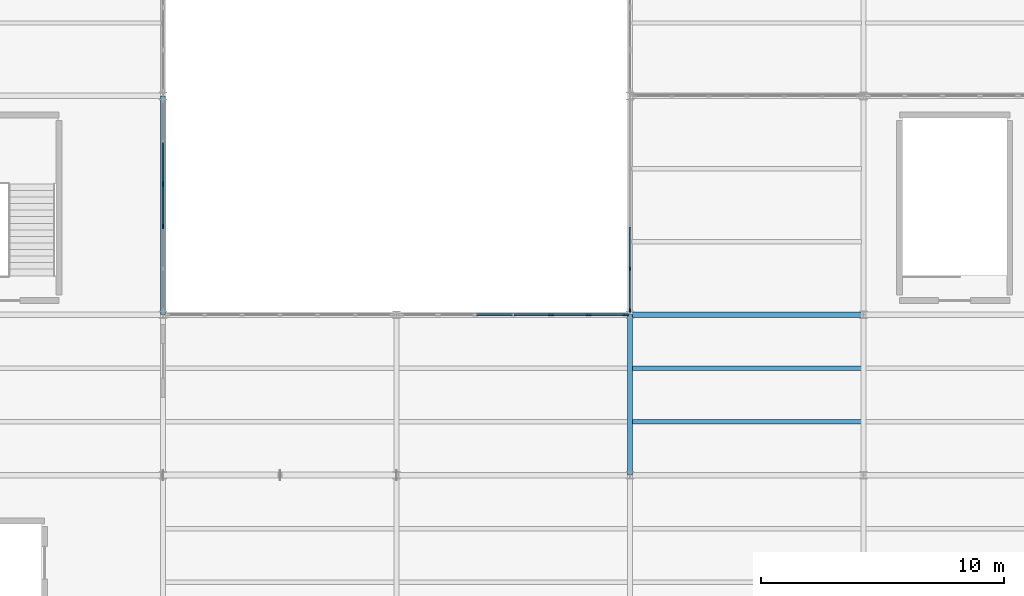
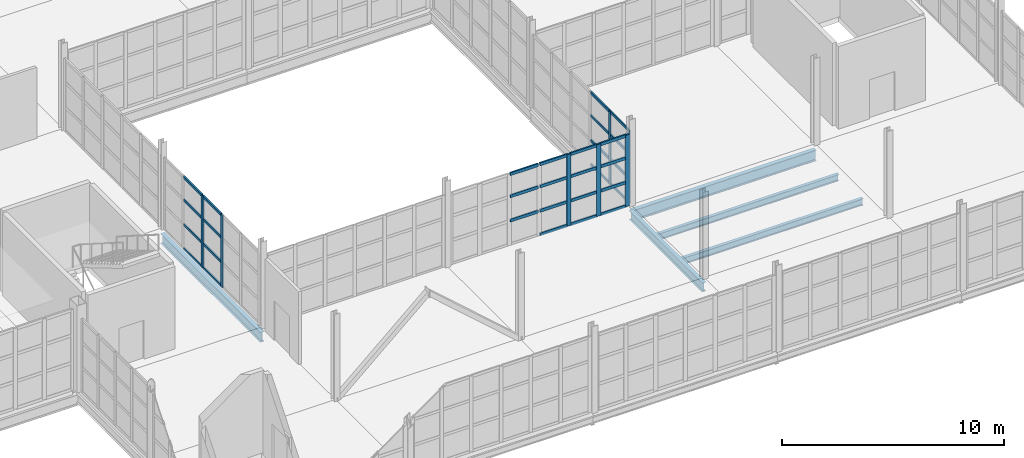
# One storey, part 61 of 120: 38 members, 5 beams, 3 elements without a shape of their own.
"""IFC4 building model written with IfcOpenShell, lengths in metres."""

import ifcopenshell
import ifcopenshell.guid

model = None  # the IFC model being written
_history = None  # IfcOwnerHistory: only IFC2X3 demands one
_inside = {}  # id of a spatial element -> (the spatial element, [elements in it])
_under = {}  # id of a project, library or spatial element -> (it, [spatial elements below it])
_declared = {}  # id of a project -> (the project, [libraries it declares])
_typed = {}  # id of a type object -> (the type object, [elements of that type])
_made_of = {}  # id of a material, layer set ... -> (it, [elements and type objects made of it])


def new_model(schema):
    """Start an empty IFC model of exactly this schema.

    Asked for "IFC4X3", IfcOpenShell would pick the latest addendum, in which some entities
    have other attributes; the version numbers below select the first issue.
    IFC2X3 requires an IfcOwnerHistory on every rooted entity: one is made here for all.
    """
    global model, _history
    if schema == "IFC4X3":
        model = ifcopenshell.file(schema_version=(4, 3, 0, 0))
    else:
        model = ifcopenshell.file(schema=schema)
    _inside.clear()
    _under.clear()
    _declared.clear()
    _typed.clear()
    _made_of.clear()
    _history = None
    if model.schema == "IFC2X3":
        org = make("IfcOrganization", Name="unknown")
        user = make(
            "IfcPersonAndOrganization",
            ThePerson=make("IfcPerson", FamilyName="unknown"),
            TheOrganization=org,
        )
        app = make(
            "IfcApplication",
            ApplicationDeveloper=org,
            Version="unknown",
            ApplicationFullName="unknown",
            ApplicationIdentifier="unknown",
        )
        _history = make(
            "IfcOwnerHistory",
            OwningUser=user,
            OwningApplication=app,
            ChangeAction="ADDED",
            CreationDate=0,
        )
    return model


def make(cls, **values):
    """One entity of the class cls with the attributes given. An attribute that is None is left unset."""
    return model.create_entity(
        cls, **{name: value for name, value in values.items() if value is not None}
    )


def rooted(cls, **values):
    """An entity with a GlobalId (a new one), such as an element, a storey or a relation."""
    return make(cls, GlobalId=ifcopenshell.guid.new(), OwnerHistory=_history, **values)


def si_unit(unit_type, name, prefix=None):
    """IfcSIUnit, for example si_unit("LENGTHUNIT", "METRE", prefix="MILLI")."""
    return make("IfcSIUnit", UnitType=unit_type, Prefix=prefix, Name=name)


def assignment(units):
    """IfcUnitAssignment: the units of a project."""
    return None if units is None else make("IfcUnitAssignment", Units=units)


def point(xyz):
    """IfcCartesianPoint."""
    return None if xyz is None else make("IfcCartesianPoint", Coordinates=xyz)


def direction(xyz):
    """IfcDirection."""
    return None if xyz is None else make("IfcDirection", DirectionRatios=xyz)


def frame(location, z_axis=None, x_axis=None):
    """IfcAxis2Placement3D, a coordinate frame: its origin and axes. An axis left out is left unset."""
    return make(
        "IfcAxis2Placement3D",
        Location=point(location),
        Axis=direction(z_axis),
        RefDirection=direction(x_axis),
    )


def frame_2d(location, x_axis=None):
    """IfcAxis2Placement2D, a coordinate frame in the plane: its origin and x axis."""
    return make(
        "IfcAxis2Placement2D", Location=point(location), RefDirection=direction(x_axis)
    )


def origin():
    """The frame at (0, 0, 0) with its axes left unset."""
    return frame((0.0, 0.0, 0.0))


def origin_2d():
    """The frame at (0, 0) in the plane with its x axis left unset."""
    return frame_2d((0.0, 0.0))


def place(relative_to, where):
    """IfcLocalPlacement: puts the frame where relative to a parent placement (None: the world)."""
    return make(
        "IfcLocalPlacement", PlacementRelTo=relative_to, RelativePlacement=where
    )


def context(
    kind, dimensions, precision=None, world=None, true_north=None, identifier=None
):
    """IfcGeometricRepresentationContext, for example the 3D "Model" context."""
    return make(
        "IfcGeometricRepresentationContext",
        ContextIdentifier=identifier,
        ContextType=kind,
        CoordinateSpaceDimension=dimensions,
        Precision=precision,
        WorldCoordinateSystem=world,
        TrueNorth=true_north,
    )


def subcontext(parent, identifier, kind, view, scale=None):
    """IfcGeometricRepresentationSubContext, for example "Body" below "Model"."""
    return make(
        "IfcGeometricRepresentationSubContext",
        ContextIdentifier=identifier,
        ContextType=kind,
        ParentContext=parent,
        TargetScale=scale,
        TargetView=view,
    )


def project(units=None, contexts=None):
    """IfcProject with its units and contexts."""
    return rooted(
        "IfcProject",
        Name="project",
        RepresentationContexts=contexts,
        UnitsInContext=assignment(units),
    )


def spatial(cls, under=None, at=None, **own):
    """A site, building, storey or space (cls), placed at a placement, below another one or the project."""
    s = rooted(cls, ObjectPlacement=at, **own)
    if under is not None:
        _under.setdefault(under.id(), (under, []))[1].append(s)
    return s


def profile(cls, at=None, kind="AREA", **sizes):
    """A parametric profile (cls). Its sizes go by their IFC names, for example OverallWidth=200.0."""
    return make(cls, ProfileType=kind, Position=at, **sizes)


def rectangle(**sizes):
    """IfcRectangleProfileDef."""
    return profile("IfcRectangleProfileDef", **sizes)


def i_section(**sizes):
    """IfcIShapeProfileDef."""
    return profile("IfcIShapeProfileDef", **sizes)


def extrude(swept, where, along, depth):
    """IfcExtrudedAreaSolid: the profile swept, set in the frame where, extruded along a direction by depth."""
    return make(
        "IfcExtrudedAreaSolid",
        SweptArea=swept,
        Position=where,
        ExtrudedDirection=direction(along),
        Depth=depth,
    )


def shape(context_of_items, identifier, shape_type, items):
    """IfcShapeRepresentation: the items that make up one representation, for example the "Body"."""
    return make(
        "IfcShapeRepresentation",
        ContextOfItems=context_of_items,
        RepresentationIdentifier=identifier,
        RepresentationType=shape_type,
        Items=items,
    )


def material(Name=None, Category=None):
    """IfcMaterial."""
    return make("IfcMaterial", Name=Name, Category=Category)


def layer(
    of_material, thickness, ventilated=None, Name=None, Category=None, Priority=None
):
    """IfcMaterialLayer: one layer of a wall or slab, of a material (None: an air gap)."""
    return make(
        "IfcMaterialLayer",
        Material=of_material,
        LayerThickness=thickness,
        IsVentilated=ventilated,
        Name=Name,
        Category=Category,
        Priority=Priority,
    )


def layer_set(layers, Name=None):
    """IfcMaterialLayerSet."""
    return make("IfcMaterialLayerSet", MaterialLayers=layers, LayerSetName=Name)


def material_profile(
    of_material, cross_section, Name=None, Category=None, Priority=None
):
    """IfcMaterialProfile: a cross section and its material."""
    return make(
        "IfcMaterialProfile",
        Name=Name,
        Material=of_material,
        Profile=cross_section,
        Priority=Priority,
        Category=Category,
    )


def profile_set(profiles, Name=None, composite=None):
    """IfcMaterialProfileSet."""
    return make(
        "IfcMaterialProfileSet",
        Name=Name,
        MaterialProfiles=profiles,
        CompositeProfile=composite,
    )


def made_of(thing, what):
    """Note that an element or type object is made of a material, layer set ...; save() writes the relation."""
    if what is not None:
        _made_of.setdefault(what.id(), (what, []))[1].append(thing)
    return thing


def type_object(cls, material=None, **own):
    """A type object (cls), such as IfcWallType, which elements share."""
    return made_of(rooted(cls, **own), material)


def element(
    cls,
    number,
    at=None,
    inside=None,
    cuts=None,
    type_object=None,
    material=None,
    context=None,
    identifier="Body",
    shape_type=None,
    held_by="IfcProductDefinitionShape",
    body=None,
    shapes=None,
    **own,
):
    """One element of the class cls, such as IfcWall. Its Tag is "e" and its number.

    at: its placement. inside: the storey or other place that contains it. cuts: it is an
    opening in that element (IfcRelVoidsElement). A single representation is given by context,
    identifier, shape_type and body (its items); several are given by shapes. held_by: the class
    of the entity that holds the representations. save() writes the other relations.
    """
    e = rooted(cls, Tag="e%d" % number, ObjectPlacement=at, **own)
    if body is not None:
        shapes = [shape(context, identifier, shape_type, body)]
    if shapes is not None:
        e.Representation = make(held_by, Representations=shapes)
    if inside is not None:
        _inside.setdefault(inside.id(), (inside, []))[1].append(e)
    if cuts is not None:
        rooted(
            "IfcRelVoidsElement", RelatingBuildingElement=cuts, RelatedOpeningElement=e
        )
    if type_object is not None:
        _typed.setdefault(type_object.id(), (type_object, []))[1].append(e)
    return made_of(e, material)


def aggregate(whole, parts):
    """IfcRelAggregates: a whole, such as a stair, and the parts it consists of."""
    return rooted("IfcRelAggregates", RelatingObject=whole, RelatedObjects=parts)


def save(model, path):
    """Write the relations noted so far, then the file.

    IfcRelAggregates (storeys below a building ...), IfcRelContainedInSpatialStructure (elements
    in a storey), IfcRelDefinesByType, IfcRelAssociatesMaterial and IfcRelDeclares: one each for
    every whole, place, type object, material and project.
    """
    for whole, parts in _under.values():
        aggregate(whole, parts)
    for where, things in _inside.values():
        rooted(
            "IfcRelContainedInSpatialStructure",
            RelatedElements=things,
            RelatingStructure=where,
        )
    for kind, things in _typed.values():
        rooted("IfcRelDefinesByType", RelatedObjects=things, RelatingType=kind)
    for what, things in _made_of.values():
        rooted("IfcRelAssociatesMaterial", RelatedObjects=things, RelatingMaterial=what)
    for by, libraries in _declared.values():
        rooted("IfcRelDeclares", RelatingContext=by, RelatedDefinitions=libraries)
    model.write(path)


model = new_model("IFC4")

# Units and contexts
model_context = context("Model", 3, precision=1e-05, world=origin(), true_north=direction((0.0, 1.0)))
body_context = subcontext(model_context, "Body", "Model", "MODEL_VIEW")
ifc_project = project(units=[si_unit("LENGTHUNIT", "METRE"), si_unit("AREAUNIT", "SQUARE_METRE"), si_unit("VOLUMEUNIT", "CUBIC_METRE"), si_unit("PLANEANGLEUNIT", "RADIAN"), si_unit("MASSUNIT", "GRAM", prefix="KILO")], contexts=[model_context])

# Site, building, storey
site_placement = place(None, origin())
site = spatial("IfcSite", under=ifc_project, at=site_placement, CompositionType="ELEMENT")
building_placement = place(site_placement, origin())
building = spatial("IfcBuilding", under=site, at=building_placement, Name="Zarnetskaya Central Station", CompositionType="ELEMENT")
storey_placement = place(building_placement, frame((0.0, 0.0, 5.39990234375)))
storey = spatial("IfcBuildingStorey", under=building, at=storey_placement, Name="L01", CompositionType="ELEMENT", Elevation=5.39990234375)

# Beams
ifc_material_1 = material(Name="Steel S355", Category="steel")
ifc_material_profile_1 = material_profile(ifc_material_1, i_section(OverallWidth=0.169921875, OverallDepth=0.360107421875, WebThickness=0.008056640625, FlangeThickness=0.0126953125, FilletRadius=0.01806640625, at=origin_2d()), Name="IPE 360")
ifc_profile_set_1 = profile_set([ifc_material_profile_1], Name="Steel S355")
beam_type_1 = type_object("IfcBeamType", Name="BM-SEC-360", PredefinedType="BEAM", material=ifc_profile_set_1)
for number, where, z_axis, x_axis, name in (
    (1, (153.679931640625, 8.800048828125, -0.4599609375), (1.0, 0.0, 0.0), (0.0, 1.0, 0.0), "Secondary floor beam SEC-L01-Z512-ST-23-1"),
    (2, (153.679931640625, 11.0, -0.4599609375), (1.0, 0.0, 0.0), (0.0, 1.0, 0.0), "Secondary floor beam SEC-L01-Z512-ST-23-2"),
):
    element("IfcBeam", number, at=place(storey_placement, frame(where, z_axis=z_axis, x_axis=x_axis)), inside=storey, type_object=beam_type_1, Name=name, PredefinedType="BEAM", context=body_context, shape_type="SweptSolid", body=[
        extrude(i_section(OverallWidth=0.169921875, OverallDepth=0.360107421875, WebThickness=0.008056640625, FlangeThickness=0.0126953125, FilletRadius=0.01806640625, at=origin_2d()), origin(), (0.0, 0.0, 1.0), 9.440185546875),
    ])

# Curtain wall, members
ifc_material_2 = material(Name="Low-E insulated glass", Category="glass")
ifc_layer = layer(ifc_material_2, 0.159912109375, Name="Low-E insulated glass", Category="glass")
ifc_layer_set = layer_set([ifc_layer], Name="Low-E insulated glass")
curtain_wall_type = type_object("IfcCurtainWallType", Name="CW-SYS-06", PredefinedType="USERDEFINED", material=ifc_layer_set)
curtain_wall_1_placement = place(storey_placement, origin())
curtain_wall_1 = element("IfcCurtainWall", 3, at=curtain_wall_1_placement, inside=storey, type_object=curtain_wall_type, Name="Curtain wall CW-L01-129", ObjectType="CURTAIN WALL", PredefinedType="USERDEFINED")
ifc_material_3 = material(Name="Anodised aluminium", Category="aluminium")
ifc_material_profile_2 = material_profile(ifc_material_3, rectangle(XDim=0.070068359375, YDim=0.179931640625, at=origin_2d()), Name="ALU MULL 70x180")
ifc_profile_set_2 = profile_set([ifc_material_profile_2], Name="Anodised aluminium")
member_type_1 = type_object("IfcMemberType", Name="CW-MULL-180", PredefinedType="MULLION", material=ifc_profile_set_2)
member_1_placement = place(storey_placement, frame((153.60009765625, 13.385009765625, 0.0), z_axis=(0.0, 0.0, 1.0), x_axis=(-1.0, 0.0, 0.0)))
member_1 = element("IfcMember", 4, at=member_1_placement, type_object=member_type_1, Name="CW-02 mullion 1", PredefinedType="MULLION", context=body_context, shape_type="SweptSolid", body=[
    extrude(rectangle(XDim=0.070068359375, YDim=0.179931640625, at=origin_2d()), origin(), (0.0, 0.0, 1.0), 4.030029296875),
])
member_2_placement = place(storey_placement, frame((153.60009765625, 15.090087890625, 0.0), z_axis=(0.0, 0.0, 1.0), x_axis=(-1.0, 0.0, 0.0)))
member_2 = element("IfcMember", 5, at=member_2_placement, type_object=member_type_1, Name="CW-02 mullion 2", PredefinedType="MULLION", context=body_context, shape_type="SweptSolid", body=[
    extrude(rectangle(XDim=0.070068359375, YDim=0.179931640625, at=origin_2d()), origin(), (0.0, 0.0, 1.0), 4.030029296875),
])

curtain_wall_2_placement = place(storey_placement, origin())
curtain_wall_2 = element("IfcCurtainWall", 6, at=curtain_wall_2_placement, inside=storey, type_object=curtain_wall_type, Name="Curtain wall CW-L01-133", ObjectType="CURTAIN WALL", PredefinedType="USERDEFINED")
member_3_placement = place(storey_placement, frame((134.39990234375, 18.570068359375, 0.0), z_axis=(0.0, 0.0, 1.0), x_axis=(1.0, 0.0, 0.0)))
member_3 = element("IfcMember", 7, at=member_3_placement, type_object=member_type_1, Name="CW-02 mullion 3", PredefinedType="MULLION", context=body_context, shape_type="SweptSolid", body=[
    extrude(rectangle(XDim=0.070068359375, YDim=0.179931640625, at=origin_2d()), origin(), (0.0, 0.0, 1.0), 3.989990234375),
])
member_4_placement = place(storey_placement, frame((134.39990234375, 16.830078125, 0.0), z_axis=(0.0, 0.0, 1.0), x_axis=(1.0, 0.0, 0.0)))
member_4 = element("IfcMember", 8, at=member_4_placement, type_object=member_type_1, Name="CW-02 mullion 4", PredefinedType="MULLION", context=body_context, shape_type="SweptSolid", body=[
    extrude(rectangle(XDim=0.070068359375, YDim=0.179931640625, at=origin_2d()), origin(), (0.0, 0.0, 1.0), 3.989990234375),
])

curtain_wall_3_placement = place(storey_placement, origin())
curtain_wall_3 = element("IfcCurtainWall", 9, at=curtain_wall_3_placement, inside=storey, type_object=curtain_wall_type, Name="Curtain wall CW-L01-128", ObjectType="CURTAIN WALL", PredefinedType="USERDEFINED")
ifc_material_profile_3 = material_profile(ifc_material_3, rectangle(XDim=0.080078125, YDim=0.219970703125, at=origin_2d()), Name="ALU MULL 80x220")
ifc_profile_set_3 = profile_set([ifc_material_profile_3], Name="Anodised aluminium")
member_type_2 = type_object("IfcMemberType", Name="CW-MULL-220", PredefinedType="MULLION", material=ifc_profile_set_3)
member_5_placement = place(storey_placement, frame((150.35009765625, 13.199951171875, 0.0), z_axis=(0.0, 0.0, 1.0), x_axis=(0.0, 1.0, 0.0)))
member_5 = element("IfcMember", 10, at=member_5_placement, type_object=member_type_2, Name="CW-02 mullion 5", PredefinedType="MULLION", context=body_context, shape_type="SweptSolid", body=[
    extrude(rectangle(XDim=0.080078125, YDim=0.219970703125, at=origin_2d()), origin(), (0.0, 0.0, 1.0), 3.940185546875),
])
member_6_placement = place(storey_placement, frame((151.89990234375, 13.199951171875, 0.0), z_axis=(0.0, 0.0, 1.0), x_axis=(0.0, 1.0, 0.0)))
member_6 = element("IfcMember", 11, at=member_6_placement, type_object=member_type_2, Name="CW-02 mullion 6", PredefinedType="MULLION", context=body_context, shape_type="SweptSolid", body=[
    extrude(rectangle(XDim=0.080078125, YDim=0.219970703125, at=origin_2d()), origin(), (0.0, 0.0, 1.0), 3.940185546875),
])
member_7_placement = place(storey_placement, frame((153.409912109375, 13.199951171875, 0.0), z_axis=(0.0, 0.0, 1.0), x_axis=(0.0, 1.0, 0.0)))
member_7 = element("IfcMember", 12, at=member_7_placement, type_object=member_type_2, Name="CW-02 mullion 7", PredefinedType="MULLION", context=body_context, shape_type="SweptSolid", body=[
    extrude(rectangle(XDim=0.080078125, YDim=0.219970703125, at=origin_2d()), origin(), (0.0, 0.0, 1.0), 3.940185546875),
])

# Member
ifc_material_profile_4 = material_profile(ifc_material_3, rectangle(XDim=0.070068359375, YDim=0.139892578125, at=origin_2d()), Name="ALU TRAN 70x140")
ifc_profile_set_4 = profile_set([ifc_material_profile_4], Name="Anodised aluminium")
member_type_3 = type_object("IfcMemberType", Name="CW-TRAN-140", PredefinedType="USERDEFINED", material=ifc_profile_set_4)
member_8_placement = place(storey_placement, frame((153.60009765625, 13.419921875, 0.03515625), z_axis=(0.0, 1.0, 0.0), x_axis=(-1.0, 0.0, 0.0)))
member_8 = element("IfcMember", 13, at=member_8_placement, type_object=member_type_3, Name="CW-02 transom 1.1", ObjectType="TRANSOM", PredefinedType="USERDEFINED", context=body_context, shape_type="SweptSolid", body=[
    extrude(rectangle(XDim=0.070068359375, YDim=0.139892578125, at=origin_2d()), origin(), (0.0, 0.0, 1.0), 1.635009765625),
])

member_9_placement = place(storey_placement, frame((153.60009765625, 13.419921875, 1.3701171875), z_axis=(0.0, 1.0, 0.0), x_axis=(-1.0, 0.0, 0.0)))
member_9 = element("IfcMember", 14, at=member_9_placement, type_object=member_type_3, Name="CW-02 transom 1.2", ObjectType="TRANSOM", PredefinedType="USERDEFINED", context=body_context, shape_type="SweptSolid", body=[
    extrude(rectangle(XDim=0.070068359375, YDim=0.139892578125, at=origin_2d()), origin(), (0.0, 0.0, 1.0), 1.635009765625),
])

member_10_placement = place(storey_placement, frame((153.60009765625, 13.419921875, 2.739990234375), z_axis=(0.0, 1.0, 0.0), x_axis=(-1.0, 0.0, 0.0)))
member_10 = element("IfcMember", 15, at=member_10_placement, type_object=member_type_3, Name="CW-02 transom 1.3", ObjectType="TRANSOM", PredefinedType="USERDEFINED", context=body_context, shape_type="SweptSolid", body=[
    extrude(rectangle(XDim=0.070068359375, YDim=0.139892578125, at=origin_2d()), origin(), (0.0, 0.0, 1.0), 1.635009765625),
])

member_11_placement = place(storey_placement, frame((153.60009765625, 13.419921875, 3.9951171875), z_axis=(0.0, 1.0, 0.0), x_axis=(-1.0, 0.0, 0.0)))
member_11 = element("IfcMember", 16, at=member_11_placement, type_object=member_type_3, Name="CW-02 transom 1.4", ObjectType="TRANSOM", PredefinedType="USERDEFINED", context=body_context, shape_type="SweptSolid", body=[
    extrude(rectangle(XDim=0.070068359375, YDim=0.139892578125, at=origin_2d()), origin(), (0.0, 0.0, 1.0), 1.635009765625),
])

member_12_placement = place(storey_placement, frame((153.60009765625, 15.125, 0.03515625), z_axis=(0.0, 1.0, 0.0), x_axis=(-1.0, 0.0, 0.0)))
member_12 = element("IfcMember", 17, at=member_12_placement, type_object=member_type_3, Name="CW-02 transom 2.1", ObjectType="TRANSOM", PredefinedType="USERDEFINED", context=body_context, shape_type="SweptSolid", body=[
    extrude(rectangle(XDim=0.070068359375, YDim=0.139892578125, at=origin_2d()), origin(), (0.0, 0.0, 1.0), 1.669921875),
])

member_13_placement = place(storey_placement, frame((153.60009765625, 15.125, 1.3701171875), z_axis=(0.0, 1.0, 0.0), x_axis=(-1.0, 0.0, 0.0)))
member_13 = element("IfcMember", 18, at=member_13_placement, type_object=member_type_3, Name="CW-02 transom 2.2", ObjectType="TRANSOM", PredefinedType="USERDEFINED", context=body_context, shape_type="SweptSolid", body=[
    extrude(rectangle(XDim=0.070068359375, YDim=0.139892578125, at=origin_2d()), origin(), (0.0, 0.0, 1.0), 1.669921875),
])

member_14_placement = place(storey_placement, frame((153.60009765625, 15.125, 2.739990234375), z_axis=(0.0, 1.0, 0.0), x_axis=(-1.0, 0.0, 0.0)))
member_14 = element("IfcMember", 19, at=member_14_placement, type_object=member_type_3, Name="CW-02 transom 2.3", ObjectType="TRANSOM", PredefinedType="USERDEFINED", context=body_context, shape_type="SweptSolid", body=[
    extrude(rectangle(XDim=0.070068359375, YDim=0.139892578125, at=origin_2d()), origin(), (0.0, 0.0, 1.0), 1.669921875),
])

member_15_placement = place(storey_placement, frame((153.60009765625, 15.125, 3.9951171875), z_axis=(0.0, 1.0, 0.0), x_axis=(-1.0, 0.0, 0.0)))
member_15 = element("IfcMember", 20, at=member_15_placement, type_object=member_type_3, Name="CW-02 transom 2.4", ObjectType="TRANSOM", PredefinedType="USERDEFINED", context=body_context, shape_type="SweptSolid", body=[
    extrude(rectangle(XDim=0.070068359375, YDim=0.139892578125, at=origin_2d()), origin(), (0.0, 0.0, 1.0), 1.669921875),
])

aggregate(curtain_wall_1, [member_1, member_2, member_8, member_9, member_10, member_11, member_12, member_13, member_14, member_15])

member_16_placement = place(storey_placement, frame((134.39990234375, 20.27490234375, 0.03515625), z_axis=(0.0, -1.0, 0.0), x_axis=(1.0, 0.0, 0.0)))
member_16 = element("IfcMember", 21, at=member_16_placement, type_object=member_type_3, Name="CW-02 transom 2.1", ObjectType="TRANSOM", PredefinedType="USERDEFINED", context=body_context, shape_type="SweptSolid", body=[
    extrude(rectangle(XDim=0.070068359375, YDim=0.139892578125, at=origin_2d()), origin(), (0.0, 0.0, 1.0), 1.669921875),
])

member_17_placement = place(storey_placement, frame((134.39990234375, 20.27490234375, 1.357177734375), z_axis=(0.0, -1.0, 0.0), x_axis=(1.0, 0.0, 0.0)))
member_17 = element("IfcMember", 22, at=member_17_placement, type_object=member_type_3, Name="CW-02 transom 2.2", ObjectType="TRANSOM", PredefinedType="USERDEFINED", context=body_context, shape_type="SweptSolid", body=[
    extrude(rectangle(XDim=0.070068359375, YDim=0.139892578125, at=origin_2d()), origin(), (0.0, 0.0, 1.0), 1.669921875),
])

member_18_placement = place(storey_placement, frame((134.39990234375, 20.27490234375, 2.713134765625), z_axis=(0.0, -1.0, 0.0), x_axis=(1.0, 0.0, 0.0)))
member_18 = element("IfcMember", 23, at=member_18_placement, type_object=member_type_3, Name="CW-02 transom 2.3", ObjectType="TRANSOM", PredefinedType="USERDEFINED", context=body_context, shape_type="SweptSolid", body=[
    extrude(rectangle(XDim=0.070068359375, YDim=0.139892578125, at=origin_2d()), origin(), (0.0, 0.0, 1.0), 1.669921875),
])

member_19_placement = place(storey_placement, frame((134.39990234375, 20.27490234375, 3.955078125), z_axis=(0.0, -1.0, 0.0), x_axis=(1.0, 0.0, 0.0)))
member_19 = element("IfcMember", 24, at=member_19_placement, type_object=member_type_3, Name="CW-02 transom 2.4", ObjectType="TRANSOM", PredefinedType="USERDEFINED", context=body_context, shape_type="SweptSolid", body=[
    extrude(rectangle(XDim=0.070068359375, YDim=0.139892578125, at=origin_2d()), origin(), (0.0, 0.0, 1.0), 1.669921875),
])

member_20_placement = place(storey_placement, frame((134.39990234375, 18.534912109375, 0.03515625), z_axis=(0.0, -1.0, 0.0), x_axis=(1.0, 0.0, 0.0)))
member_20 = element("IfcMember", 25, at=member_20_placement, type_object=member_type_3, Name="CW-02 transom 3.1", ObjectType="TRANSOM", PredefinedType="USERDEFINED", context=body_context, shape_type="SweptSolid", body=[
    extrude(rectangle(XDim=0.070068359375, YDim=0.139892578125, at=origin_2d()), origin(), (0.0, 0.0, 1.0), 1.669921875),
])

member_21_placement = place(storey_placement, frame((134.39990234375, 18.534912109375, 1.357177734375), z_axis=(0.0, -1.0, 0.0), x_axis=(1.0, 0.0, 0.0)))
member_21 = element("IfcMember", 26, at=member_21_placement, type_object=member_type_3, Name="CW-02 transom 3.2", ObjectType="TRANSOM", PredefinedType="USERDEFINED", context=body_context, shape_type="SweptSolid", body=[
    extrude(rectangle(XDim=0.070068359375, YDim=0.139892578125, at=origin_2d()), origin(), (0.0, 0.0, 1.0), 1.669921875),
])

member_22_placement = place(storey_placement, frame((134.39990234375, 18.534912109375, 2.713134765625), z_axis=(0.0, -1.0, 0.0), x_axis=(1.0, 0.0, 0.0)))
member_22 = element("IfcMember", 27, at=member_22_placement, type_object=member_type_3, Name="CW-02 transom 3.3", ObjectType="TRANSOM", PredefinedType="USERDEFINED", context=body_context, shape_type="SweptSolid", body=[
    extrude(rectangle(XDim=0.070068359375, YDim=0.139892578125, at=origin_2d()), origin(), (0.0, 0.0, 1.0), 1.669921875),
])

member_23_placement = place(storey_placement, frame((134.39990234375, 18.534912109375, 3.955078125), z_axis=(0.0, -1.0, 0.0), x_axis=(1.0, 0.0, 0.0)))
member_23 = element("IfcMember", 28, at=member_23_placement, type_object=member_type_3, Name="CW-02 transom 3.4", ObjectType="TRANSOM", PredefinedType="USERDEFINED", context=body_context, shape_type="SweptSolid", body=[
    extrude(rectangle(XDim=0.070068359375, YDim=0.139892578125, at=origin_2d()), origin(), (0.0, 0.0, 1.0), 1.669921875),
])

aggregate(curtain_wall_2, [member_3, member_4, member_16, member_17, member_18, member_19, member_20, member_21, member_22, member_23])

ifc_material_profile_5 = material_profile(ifc_material_3, rectangle(XDim=0.080078125, YDim=0.159912109375, at=origin_2d()), Name="ALU TRAN 80x160")
ifc_profile_set_5 = profile_set([ifc_material_profile_5], Name="Anodised aluminium")
member_type_4 = type_object("IfcMemberType", Name="CW-TRAN-160", PredefinedType="USERDEFINED", material=ifc_profile_set_5)
member_24_placement = place(storey_placement, frame((147.2900390625, 13.199951171875, 1.340087890625), z_axis=(1.0, 0.0, 0.0), x_axis=(0.0, 1.0, 0.0)))
member_24 = element("IfcMember", 29, at=member_24_placement, type_object=member_type_4, Name="CW-02 transom 3.2", ObjectType="TRANSOM", PredefinedType="USERDEFINED", context=body_context, shape_type="SweptSolid", body=[
    extrude(rectangle(XDim=0.080078125, YDim=0.159912109375, at=origin_2d()), origin(), (0.0, 0.0, 1.0), 1.469970703125),
])

member_25_placement = place(storey_placement, frame((147.2900390625, 13.199951171875, 2.67919921875), z_axis=(1.0, 0.0, 0.0), x_axis=(0.0, 1.0, 0.0)))
member_25 = element("IfcMember", 30, at=member_25_placement, type_object=member_type_4, Name="CW-02 transom 3.3", ObjectType="TRANSOM", PredefinedType="USERDEFINED", context=body_context, shape_type="SweptSolid", body=[
    extrude(rectangle(XDim=0.080078125, YDim=0.159912109375, at=origin_2d()), origin(), (0.0, 0.0, 1.0), 1.469970703125),
])

member_26_placement = place(storey_placement, frame((147.2900390625, 13.199951171875, 3.900146484375), z_axis=(1.0, 0.0, 0.0), x_axis=(0.0, 1.0, 0.0)))
member_26 = element("IfcMember", 31, at=member_26_placement, type_object=member_type_4, Name="CW-02 transom 3.4", ObjectType="TRANSOM", PredefinedType="USERDEFINED", context=body_context, shape_type="SweptSolid", body=[
    extrude(rectangle(XDim=0.080078125, YDim=0.159912109375, at=origin_2d()), origin(), (0.0, 0.0, 1.0), 1.469970703125),
])

member_27_placement = place(storey_placement, frame((148.840087890625, 13.199951171875, 0.0400390625), z_axis=(1.0, 0.0, 0.0), x_axis=(0.0, 1.0, 0.0)))
member_27 = element("IfcMember", 32, at=member_27_placement, type_object=member_type_4, Name="CW-02 transom 4.1", ObjectType="TRANSOM", PredefinedType="USERDEFINED", context=body_context, shape_type="SweptSolid", body=[
    extrude(rectangle(XDim=0.080078125, YDim=0.159912109375, at=origin_2d()), origin(), (0.0, 0.0, 1.0), 1.469970703125),
])

member_28_placement = place(storey_placement, frame((148.840087890625, 13.199951171875, 1.340087890625), z_axis=(1.0, 0.0, 0.0), x_axis=(0.0, 1.0, 0.0)))
member_28 = element("IfcMember", 33, at=member_28_placement, type_object=member_type_4, Name="CW-02 transom 4.2", ObjectType="TRANSOM", PredefinedType="USERDEFINED", context=body_context, shape_type="SweptSolid", body=[
    extrude(rectangle(XDim=0.080078125, YDim=0.159912109375, at=origin_2d()), origin(), (0.0, 0.0, 1.0), 1.469970703125),
])

member_29_placement = place(storey_placement, frame((148.840087890625, 13.199951171875, 2.67919921875), z_axis=(1.0, 0.0, 0.0), x_axis=(0.0, 1.0, 0.0)))
member_29 = element("IfcMember", 34, at=member_29_placement, type_object=member_type_4, Name="CW-02 transom 4.3", ObjectType="TRANSOM", PredefinedType="USERDEFINED", context=body_context, shape_type="SweptSolid", body=[
    extrude(rectangle(XDim=0.080078125, YDim=0.159912109375, at=origin_2d()), origin(), (0.0, 0.0, 1.0), 1.469970703125),
])

member_30_placement = place(storey_placement, frame((148.840087890625, 13.199951171875, 3.900146484375), z_axis=(1.0, 0.0, 0.0), x_axis=(0.0, 1.0, 0.0)))
member_30 = element("IfcMember", 35, at=member_30_placement, type_object=member_type_4, Name="CW-02 transom 4.4", ObjectType="TRANSOM", PredefinedType="USERDEFINED", context=body_context, shape_type="SweptSolid", body=[
    extrude(rectangle(XDim=0.080078125, YDim=0.159912109375, at=origin_2d()), origin(), (0.0, 0.0, 1.0), 1.469970703125),
])

member_31_placement = place(storey_placement, frame((150.389892578125, 13.199951171875, 0.0400390625), z_axis=(1.0, 0.0, 0.0), x_axis=(0.0, 1.0, 0.0)))
member_31 = element("IfcMember", 36, at=member_31_placement, type_object=member_type_4, Name="CW-02 transom 5.1", ObjectType="TRANSOM", PredefinedType="USERDEFINED", context=body_context, shape_type="SweptSolid", body=[
    extrude(rectangle(XDim=0.080078125, YDim=0.159912109375, at=origin_2d()), origin(), (0.0, 0.0, 1.0), 1.47021484375),
])

member_32_placement = place(storey_placement, frame((150.389892578125, 13.199951171875, 1.340087890625), z_axis=(1.0, 0.0, 0.0), x_axis=(0.0, 1.0, 0.0)))
member_32 = element("IfcMember", 37, at=member_32_placement, type_object=member_type_4, Name="CW-02 transom 5.2", ObjectType="TRANSOM", PredefinedType="USERDEFINED", context=body_context, shape_type="SweptSolid", body=[
    extrude(rectangle(XDim=0.080078125, YDim=0.159912109375, at=origin_2d()), origin(), (0.0, 0.0, 1.0), 1.47021484375),
])

member_33_placement = place(storey_placement, frame((150.389892578125, 13.199951171875, 2.67919921875), z_axis=(1.0, 0.0, 0.0), x_axis=(0.0, 1.0, 0.0)))
member_33 = element("IfcMember", 38, at=member_33_placement, type_object=member_type_4, Name="CW-02 transom 5.3", ObjectType="TRANSOM", PredefinedType="USERDEFINED", context=body_context, shape_type="SweptSolid", body=[
    extrude(rectangle(XDim=0.080078125, YDim=0.159912109375, at=origin_2d()), origin(), (0.0, 0.0, 1.0), 1.47021484375),
])

member_34_placement = place(storey_placement, frame((150.389892578125, 13.199951171875, 3.900146484375), z_axis=(1.0, 0.0, 0.0), x_axis=(0.0, 1.0, 0.0)))
member_34 = element("IfcMember", 39, at=member_34_placement, type_object=member_type_4, Name="CW-02 transom 5.4", ObjectType="TRANSOM", PredefinedType="USERDEFINED", context=body_context, shape_type="SweptSolid", body=[
    extrude(rectangle(XDim=0.080078125, YDim=0.159912109375, at=origin_2d()), origin(), (0.0, 0.0, 1.0), 1.47021484375),
])

member_35_placement = place(storey_placement, frame((151.93994140625, 13.199951171875, 0.0400390625), z_axis=(1.0, 0.0, 0.0), x_axis=(0.0, 1.0, 0.0)))
member_35 = element("IfcMember", 40, at=member_35_placement, type_object=member_type_4, Name="CW-02 transom 6.1", ObjectType="TRANSOM", PredefinedType="USERDEFINED", context=body_context, shape_type="SweptSolid", body=[
    extrude(rectangle(XDim=0.080078125, YDim=0.159912109375, at=origin_2d()), origin(), (0.0, 0.0, 1.0), 1.43017578125),
])

member_36_placement = place(storey_placement, frame((151.93994140625, 13.199951171875, 1.340087890625), z_axis=(1.0, 0.0, 0.0), x_axis=(0.0, 1.0, 0.0)))
member_36 = element("IfcMember", 41, at=member_36_placement, type_object=member_type_4, Name="CW-02 transom 6.2", ObjectType="TRANSOM", PredefinedType="USERDEFINED", context=body_context, shape_type="SweptSolid", body=[
    extrude(rectangle(XDim=0.080078125, YDim=0.159912109375, at=origin_2d()), origin(), (0.0, 0.0, 1.0), 1.43017578125),
])

member_37_placement = place(storey_placement, frame((151.93994140625, 13.199951171875, 2.67919921875), z_axis=(1.0, 0.0, 0.0), x_axis=(0.0, 1.0, 0.0)))
member_37 = element("IfcMember", 42, at=member_37_placement, type_object=member_type_4, Name="CW-02 transom 6.3", ObjectType="TRANSOM", PredefinedType="USERDEFINED", context=body_context, shape_type="SweptSolid", body=[
    extrude(rectangle(XDim=0.080078125, YDim=0.159912109375, at=origin_2d()), origin(), (0.0, 0.0, 1.0), 1.43017578125),
])

member_38_placement = place(storey_placement, frame((151.93994140625, 13.199951171875, 3.900146484375), z_axis=(1.0, 0.0, 0.0), x_axis=(0.0, 1.0, 0.0)))
member_38 = element("IfcMember", 43, at=member_38_placement, type_object=member_type_4, Name="CW-02 transom 6.4", ObjectType="TRANSOM", PredefinedType="USERDEFINED", context=body_context, shape_type="SweptSolid", body=[
    extrude(rectangle(XDim=0.080078125, YDim=0.159912109375, at=origin_2d()), origin(), (0.0, 0.0, 1.0), 1.43017578125),
])

aggregate(curtain_wall_3, [member_5, member_6, member_7, member_24, member_25, member_26, member_27, member_28, member_29, member_30, member_31, member_32, member_33, member_34, member_35, member_36, member_37, member_38])

# Beams
ifc_material_profile_6 = material_profile(ifc_material_1, i_section(OverallWidth=0.199951171875, OverallDepth=0.5, WebThickness=0.01025390625, FlangeThickness=0.01611328125, FilletRadius=0.02099609375, at=origin_2d()), Name="IPE 500")
ifc_profile_set_6 = profile_set([ifc_material_profile_6], Name="Steel S355")
beam_type_2 = type_object("IfcBeamType", Name="GD-FLR-500", PredefinedType="USERDEFINED", material=ifc_profile_set_6)
beam_1_placement = place(storey_placement, frame((153.60009765625, 6.60009765625, -0.52978515625), z_axis=(0.0, 1.0, 0.0), x_axis=(-1.0, 0.0, 0.0)))
element("IfcBeam", 44, at=beam_1_placement, inside=storey, type_object=beam_type_2, Name="Grid girder GY-L01-S-23", ObjectType="GIRDER", PredefinedType="USERDEFINED", context=body_context, shape_type="SweptSolid", body=[
    extrude(i_section(OverallWidth=0.199951171875, OverallDepth=0.5, WebThickness=0.01025390625, FlangeThickness=0.01611328125, FilletRadius=0.02099609375, at=origin_2d()), origin(), (0.0, 0.0, 1.0), 6.599853515625),
])
ifc_material_profile_7 = material_profile(ifc_material_1, i_section(OverallWidth=0.2099609375, OverallDepth=0.550048828125, WebThickness=0.010986328125, FlangeThickness=0.01708984375, FilletRadius=0.02392578125, at=origin_2d()), Name="IPE 550")
ifc_profile_set_7 = profile_set([ifc_material_profile_7], Name="Steel S355")
beam_type_3 = type_object("IfcBeamType", Name="GD-FLR-550", PredefinedType="USERDEFINED", material=ifc_profile_set_7)
beam_2_placement = place(storey_placement, frame((134.39990234375, 13.199951171875, -0.554931640625), z_axis=(0.0, 1.0, 0.0), x_axis=(-1.0, 0.0, 0.0)))
element("IfcBeam", 45, at=beam_2_placement, inside=storey, type_object=beam_type_3, Name="Grid girder GY-L01-Q-34", ObjectType="GIRDER", PredefinedType="USERDEFINED", context=body_context, shape_type="SweptSolid", body=[
    extrude(i_section(OverallWidth=0.2099609375, OverallDepth=0.550048828125, WebThickness=0.010986328125, FlangeThickness=0.01708984375, FilletRadius=0.02392578125, at=origin_2d()), origin(), (0.0, 0.0, 1.0), 9.0),
])
ifc_material_profile_8 = material_profile(ifc_material_1, i_section(OverallWidth=0.219970703125, OverallDepth=0.60009765625, WebThickness=0.011962890625, FlangeThickness=0.01904296875, FilletRadius=0.02392578125, at=origin_2d()), Name="IPE 600")
ifc_profile_set_8 = profile_set([ifc_material_profile_8], Name="Steel S355")
beam_type_4 = type_object("IfcBeamType", Name="GD-FLR-600", PredefinedType="USERDEFINED", material=ifc_profile_set_8)
beam_3_placement = place(storey_placement, frame((153.60009765625, 13.199951171875, -0.579833984375), z_axis=(1.0, 0.0, 0.0), x_axis=(0.0, 1.0, 0.0)))
element("IfcBeam", 46, at=beam_3_placement, inside=storey, type_object=beam_type_4, Name="Grid girder GX-L01-3-ST", ObjectType="GIRDER", PredefinedType="USERDEFINED", context=body_context, shape_type="SweptSolid", body=[
    extrude(i_section(OverallWidth=0.219970703125, OverallDepth=0.60009765625, WebThickness=0.011962890625, FlangeThickness=0.01904296875, FilletRadius=0.02392578125, at=origin_2d()), origin(), (0.0, 0.0, 1.0), 9.599853515625),
])

save(model, "model.ifc")
